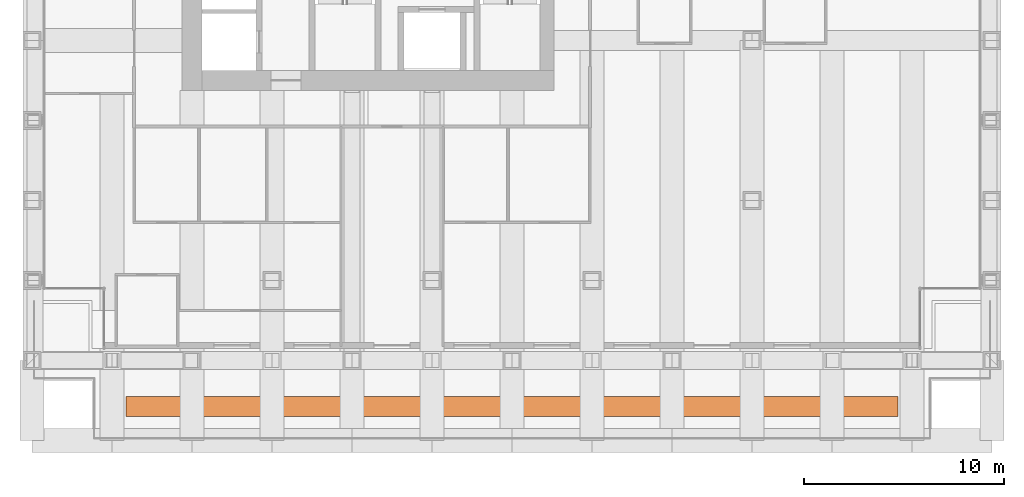
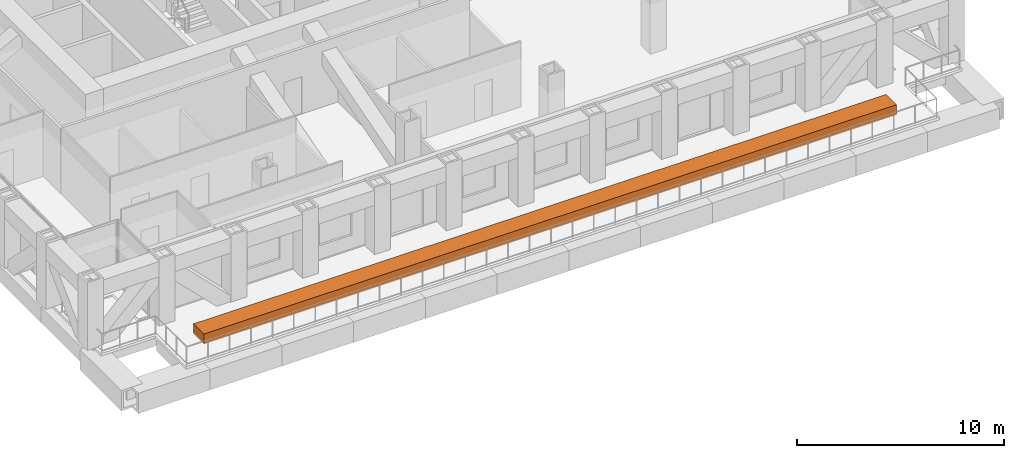
# One storey, part 18 of 18: 1 proxy.
"""IFC4 building model written with IfcOpenShell, lengths in metres."""

from ifc_helpers import new_model, si_unit, direction, frame, origin, origin_2d, place, context, subcontext, project, spatial, rectangle, extrude, element, save


model = new_model("IFC4")

# Units and contexts
model_context = context("Model", 3, precision=1e-05, world=origin(), true_north=direction((0.0, 1.0)))
body_context = subcontext(model_context, "Body", "Model", "MODEL_VIEW")
ifc_project = project(units=[si_unit("LENGTHUNIT", "METRE"), si_unit("AREAUNIT", "SQUARE_METRE"), si_unit("VOLUMEUNIT", "CUBIC_METRE"), si_unit("PLANEANGLEUNIT", "RADIAN"), si_unit("MASSUNIT", "GRAM", prefix="KILO")], contexts=[model_context])

# Site, building, storey
site_placement = place(None, origin())
site = spatial("IfcSite", under=ifc_project, at=site_placement, CompositionType="ELEMENT")
building_placement = place(site_placement, origin())
building = spatial("IfcBuilding", under=site, at=building_placement, Name="Rimbunsela Tower", CompositionType="ELEMENT")
storey_placement = place(building_placement, frame((0.0, 0.0, 105.39990234375)))
storey = spatial("IfcBuildingStorey", under=building, at=storey_placement, Name="L25", CompositionType="ELEMENT", Elevation=105.39990234375)

# Proxy
proxy_placement = place(storey_placement, frame((34.0, 1.699951171875, 0.0), z_axis=(0.0, 0.0, 1.0), x_axis=(1.0, 0.0, 0.0)))
element("IfcBuildingElementProxy", 1, at=proxy_placement, inside=storey, Name="Terrace planter L25", ObjectType="PLANTER", PredefinedType="USERDEFINED", context=body_context, shape_type="SweptSolid", body=[
    extrude(rectangle(XDim=38.60009765625, YDim=1.0, at=origin_2d()), origin(), (0.0, 0.0, 1.0), 0.60009765625),
])

save(model, "model.ifc")
